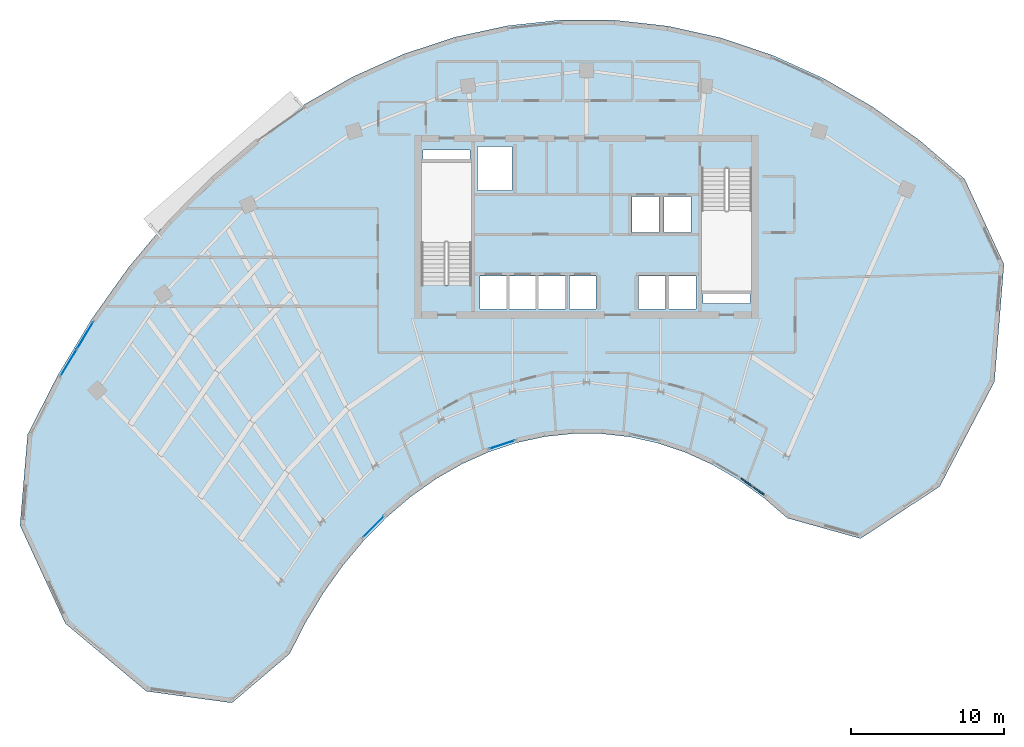
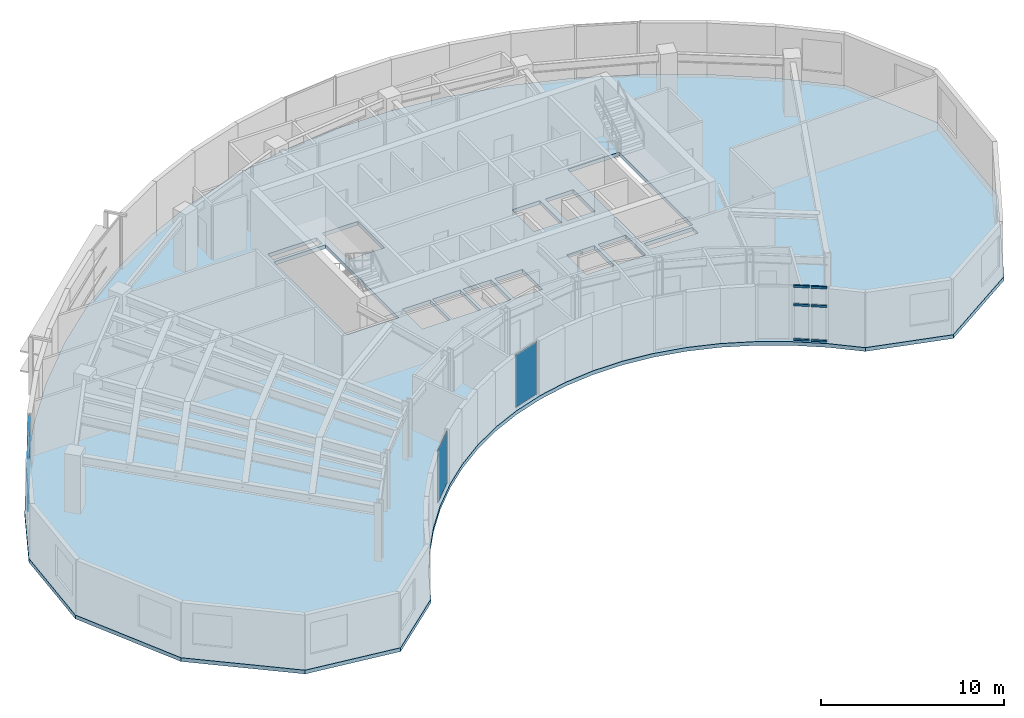
# One storey, part 5 of 12: 6 members, 6 plates, 1 slab, 4 elements without a shape of their own.
"""IFC4 building model written with IfcOpenShell, lengths in metres."""

from ifc_helpers import new_model, si_unit, direction, frame, origin, origin_2d, place, context, subcontext, project, spatial, polyline, rectangle, outline, extrude, source, transform, mapped, material, layer, layer_set, material_profile, profile_set, type_object, element, aggregate, save


model = new_model("IFC4")

# Units and contexts
model_context = context("Model", 3, precision=1e-05, world=origin(), true_north=direction((0.0, 1.0)))
body_context = subcontext(model_context, "Body", "Model", "MODEL_VIEW")
ifc_project = project(units=[si_unit("LENGTHUNIT", "METRE"), si_unit("AREAUNIT", "SQUARE_METRE"), si_unit("VOLUMEUNIT", "CUBIC_METRE"), si_unit("PLANEANGLEUNIT", "RADIAN"), si_unit("MASSUNIT", "GRAM", prefix="KILO")], contexts=[model_context])

# Site, building, storey
site_placement = place(None, origin())
site = spatial("IfcSite", under=ifc_project, at=site_placement, CompositionType="ELEMENT")
building_placement = place(site_placement, origin())
building = spatial("IfcBuilding", under=site, at=building_placement, Name="Breltana Convention Tower", CompositionType="ELEMENT")
storey_placement = place(building_placement, frame((0.0, 0.0, 239.10009765625)))
storey = spatial("IfcBuildingStorey", under=building, at=storey_placement, Name="L58", CompositionType="ELEMENT", Elevation=239.10009765625)

# Curtain wall, members
ifc_material_1 = material(Name="Aluminium Anodised Bronze Frame", Category="aluminium")
ifc_layer_1 = layer(ifc_material_1, 0.18994140625, Name="Aluminium Anodised Bronze Frame")
ifc_layer_set_1 = layer_set([ifc_layer_1], Name="Aluminium Anodised Bronze Frame")
curtain_wall_type_1 = type_object("IfcCurtainWallType", Name="CW-SYS-1", PredefinedType="NOTDEFINED", material=ifc_layer_set_1)
curtain_wall_1_placement = place(storey_placement, origin())
curtain_wall_1 = element("IfcCurtainWall", 1, at=curtain_wall_1_placement, inside=storey, type_object=curtain_wall_type_1, Name="L58 inner south-court glazing 1", PredefinedType="NOTDEFINED")
ifc_material_2 = material(Name="Aluminium Anodised Bronze", Category="aluminium")
ifc_material_profile = material_profile(ifc_material_2, rectangle(XDim=0.080078125, YDim=0.139892578125, at=origin_2d()), Name="CWT-80X140")
ifc_profile_set = profile_set([ifc_material_profile], Name="Aluminium Anodised Bronze")
member_type = type_object("IfcMemberType", Name="CWT-140", PredefinedType="USERDEFINED", material=ifc_profile_set)
shared_shape_1 = source(origin(), body_context, "Body", "SweptSolid", [
    extrude(rectangle(XDim=0.080078125, YDim=0.139892578125, at=origin_2d()), origin(), (0.0, 0.0, 1.0), 0.88720703125),
])
member_1_placement = place(storey_placement, frame((59.6103515625, 48.673583984375, 0.039794921875), z_axis=(-0.814198008079, 0.580587292007, 0.0), x_axis=(-0.580587292007, -0.814198008079, 0.0)))
member_1 = element("IfcMember", 2, at=member_1_placement, type_object=member_type, Name="CW-01 transom 1.1", ObjectType="TRANSOM", PredefinedType="USERDEFINED", context=body_context, shape_type="MappedRepresentation", body=[
    mapped(shared_shape_1, transform((0.0, 0.0, 0.0), scale=1.0)),
])
member_2_placement = place(storey_placement, frame((59.6103515625, 48.673583984375, 2.372314453125), z_axis=(-0.814198008079, 0.580587292007, 0.0), x_axis=(-0.580587292007, -0.814198008079, 0.0)))
member_2 = element("IfcMember", 3, at=member_2_placement, type_object=member_type, Name="CW-01 transom 1.2", ObjectType="TRANSOM", PredefinedType="USERDEFINED", context=body_context, shape_type="MappedRepresentation", body=[
    mapped(shared_shape_1, transform((0.0, 0.0, 0.0), scale=1.0)),
])
member_3_placement = place(storey_placement, frame((59.6103515625, 48.673583984375, 3.60986328125), z_axis=(-0.814198008079, 0.580587292007, 0.0), x_axis=(-0.580587292007, -0.814198008079, 0.0)))
member_3 = element("IfcMember", 4, at=member_3_placement, type_object=member_type, Name="CW-01 transom 1.3", ObjectType="TRANSOM", PredefinedType="USERDEFINED", context=body_context, shape_type="MappedRepresentation", body=[
    mapped(shared_shape_1, transform((0.0, 0.0, 0.0), scale=1.0)),
])
shared_shape_2 = source(origin(), body_context, "Body", "SweptSolid", [
    extrude(rectangle(XDim=0.080078125, YDim=0.139892578125, at=origin_2d()), origin(), (0.0, 0.0, 1.0), 0.887451171875),
])
member_4_placement = place(storey_placement, frame((58.82275390625, 49.235107421875, 0.039794921875), z_axis=(-0.814067936788, 0.58076965683, 0.0), x_axis=(-0.58076965683, -0.814067936788, 0.0)))
member_4 = element("IfcMember", 5, at=member_4_placement, type_object=member_type, Name="CW-01 transom 2.1", ObjectType="TRANSOM", PredefinedType="USERDEFINED", context=body_context, shape_type="MappedRepresentation", body=[
    mapped(shared_shape_2, transform((0.0, 0.0, 0.0), scale=1.0)),
])
member_5_placement = place(storey_placement, frame((58.82275390625, 49.235107421875, 2.372314453125), z_axis=(-0.814067936788, 0.58076965683, 0.0), x_axis=(-0.58076965683, -0.814067936788, 0.0)))
member_5 = element("IfcMember", 6, at=member_5_placement, type_object=member_type, Name="CW-01 transom 2.2", ObjectType="TRANSOM", PredefinedType="USERDEFINED", context=body_context, shape_type="MappedRepresentation", body=[
    mapped(shared_shape_2, transform((0.0, 0.0, 0.0), scale=1.0)),
])
member_6_placement = place(storey_placement, frame((58.82275390625, 49.235107421875, 3.60986328125), z_axis=(-0.814067936788, 0.58076965683, 0.0), x_axis=(-0.58076965683, -0.814067936788, 0.0)))
member_6 = element("IfcMember", 7, at=member_6_placement, type_object=member_type, Name="CW-01 transom 2.3", ObjectType="TRANSOM", PredefinedType="USERDEFINED", context=body_context, shape_type="MappedRepresentation", body=[
    mapped(shared_shape_2, transform((0.0, 0.0, 0.0), scale=1.0)),
])
aggregate(curtain_wall_1, [member_1, member_2, member_3, member_4, member_5, member_6])

# Slab
ifc_material_3 = material(Name="Concrete C40/50", Category="concrete")
ifc_layer_2 = layer(ifc_material_3, 0.25, Name="Concrete C40/50")
ifc_layer_set_2 = layer_set([ifc_layer_2], Name="Concrete C40/50")
slab_type = type_object("IfcSlabType", Name="SL-OFF-250", PredefinedType="FLOOR", material=ifc_layer_set_2)
slab_placement = place(storey_placement, frame((0.0, 0.0, -0.25)))
element("IfcSlab", 8, at=slab_placement, inside=storey, type_object=slab_type, Name="L58 Suspended Structural Floor Slab", PredefinedType="FLOOR", context=body_context, shape_type="SweptSolid", body=[
    extrude(outline(polyline([(72.72119140625, 69.309326171875), (69.777587890625, 71.839111328125), (66.690673828125, 74.040771484375), (63.480712890625, 75.89990234375), (60.1689453125, 77.404296875), (56.777099609375, 78.543701171875), (53.3271484375, 79.31103515625), (49.84228515625, 79.701171875), (46.345458984375, 79.71142578125), (42.859375, 79.341796875), (39.4072265625, 78.594482421875), (36.01171875, 77.474853515625), (32.69482421875, 75.989990234375), (29.47900390625, 74.149658203125), (26.385009765625, 71.966064453125), (23.43310546875, 69.453369140625), (20.64306640625, 66.62841796875), (18.033203125, 63.509765625), (15.62060546875, 60.11767578125), (13.4208984375, 56.474853515625), (11.44921875, 52.60498046875), (10.952392578125, 46.661865234375), (13.9169921875, 40.24951171875), (19.210693359375, 35.81689453125), (24.811279296875, 35.0576171875), (28.57958984375, 38.260986328125), (29.62744140625, 40.317138671875), (30.796142578125, 42.252685546875), (32.077880859375, 44.05517578125), (33.464599609375, 45.712158203125), (34.947021484375, 47.213134765625), (36.515380859375, 48.548095703125), (38.1591796875, 49.708251953125), (39.8681640625, 50.68603515625), (41.63037109375, 51.47509765625), (43.4345703125, 52.070068359375), (45.268798828125, 52.467041015625), (47.120849609375, 52.663330078125), (48.97900390625, 52.657958984375), (50.83056640625, 52.45068359375), (52.663330078125, 52.04296875), (54.465576171875, 51.4375), (56.225341796875, 50.63818359375), (57.930908203125, 49.650390625), (59.57080078125, 48.480712890625), (61.135009765625, 47.136474609375), (65.921142578125, 45.801025390625), (71.092041015625, 49.210205078125), (74.67236328125, 56.06201171875), (75.294677734375, 63.7392578125), (72.72119140625, 69.309326171875)]), holes=[polyline([(37.199951171875, 62.385009765625), (40.469970703125, 62.385009765625), (40.469970703125, 70.39990234375), (37.199951171875, 70.39990234375), (37.199951171875, 62.385009765625)]), polyline([(55.530029296875, 62.0), (58.800048828125, 62.0), (58.800048828125, 70.014892578125), (55.530029296875, 70.014892578125), (55.530029296875, 62.0)]), polyline([(41.0400390625, 60.800048828125), (42.800048828125, 60.800048828125), (42.800048828125, 62.97998046875), (41.0400390625, 62.97998046875), (41.0400390625, 60.800048828125)]), polyline([(42.93994140625, 60.800048828125), (44.699951171875, 60.800048828125), (44.699951171875, 62.97998046875), (42.93994140625, 62.97998046875), (42.93994140625, 60.800048828125)]), polyline([(44.8701171875, 60.800048828125), (46.6298828125, 60.800048828125), (46.6298828125, 62.97998046875), (44.8701171875, 62.97998046875), (44.8701171875, 60.800048828125)]), polyline([(46.8701171875, 60.800048828125), (48.6298828125, 60.800048828125), (48.6298828125, 62.97998046875), (46.8701171875, 62.97998046875), (46.8701171875, 60.800048828125)]), polyline([(51.39990234375, 60.800048828125), (53.159912109375, 60.800048828125), (53.159912109375, 62.97998046875), (51.39990234375, 62.97998046875), (51.39990234375, 60.800048828125)]), polyline([(53.39990234375, 60.800048828125), (55.159912109375, 60.800048828125), (55.159912109375, 62.97998046875), (53.39990234375, 62.97998046875), (53.39990234375, 60.800048828125)]), polyline([(50.969970703125, 65.800048828125), (52.72998046875, 65.800048828125), (52.72998046875, 68.179931640625), (50.969970703125, 68.179931640625), (50.969970703125, 65.800048828125)]), polyline([(53.070068359375, 65.800048828125), (54.830078125, 65.800048828125), (54.830078125, 68.179931640625), (53.070068359375, 68.179931640625), (53.070068359375, 65.800048828125)]), polyline([(40.8798828125, 68.550048828125), (43.1201171875, 68.550048828125), (43.1201171875, 71.449951171875), (40.8798828125, 71.449951171875), (40.8798828125, 68.550048828125)]), polyline([(37.300048828125, 70.60009765625), (40.3798828125, 70.60009765625), (40.3798828125, 71.219970703125), (37.300048828125, 71.219970703125), (37.300048828125, 70.60009765625)]), polyline([(55.6201171875, 61.179931640625), (58.699951171875, 61.179931640625), (58.699951171875, 61.800048828125), (55.6201171875, 61.800048828125), (55.6201171875, 61.179931640625)])]), origin(), (0.0, 0.0, 1.0), 0.25),
])

# Curtain wall, plates
ifc_layer_3 = layer(ifc_material_1, 0.219970703125, Name="Aluminium Anodised Bronze Frame")
ifc_layer_set_3 = layer_set([ifc_layer_3], Name="Aluminium Anodised Bronze Frame")
curtain_wall_type_2 = type_object("IfcCurtainWallType", Name="CW-SYS-4", PredefinedType="NOTDEFINED", material=ifc_layer_set_3)
curtain_wall_2_placement = place(storey_placement, origin())
curtain_wall_2 = element("IfcCurtainWall", 9, at=curtain_wall_2_placement, inside=storey, type_object=curtain_wall_type_2, Name="L58 outer double-skin inner glazing 1", PredefinedType="NOTDEFINED")
ifc_material_4 = material(Name="Glass Low-E Double Glazing", Category="glass")
ifc_layer_4 = layer(ifc_material_4, 0.028076171875, Name="Glass Low-E Double Glazing")
ifc_layer_set_4 = layer_set([ifc_layer_4], Name="Glass Low-E Double Glazing")
plate_type = type_object("IfcPlateType", Name="CWP-IGU-28", PredefinedType="CURTAIN_PANEL", material=ifc_layer_set_4)
shared_shape_3 = source(origin(), body_context, "Body", "SweptSolid", [
    extrude(rectangle(XDim=2.001220703125, YDim=0.028076171875, at=origin_2d()), origin(), (0.0, 0.0, 1.0), 2.267578125),
])
plate_1_placement = place(storey_placement, frame((14.136962890625, 57.312255859375, 0.06982421875), z_axis=(0.0, 0.0, 1.0), x_axis=(0.516875291963, 0.856060706117, 0.0)))
plate_1 = element("IfcPlate", 10, at=plate_1_placement, type_object=plate_type, Name="CW-04 panel 1.1", PredefinedType="CURTAIN_PANEL", context=body_context, shape_type="MappedRepresentation", body=[
    mapped(shared_shape_3, transform((0.0, 0.0, 0.0), scale=1.0)),
])
plate_2_placement = place(storey_placement, frame((15.212646484375, 59.093994140625, 0.06982421875), z_axis=(0.0, 0.0, 1.0), x_axis=(0.516875291963, 0.856060706117, 0.0)))
plate_2 = element("IfcPlate", 11, at=plate_2_placement, type_object=plate_type, Name="CW-04 panel 2.1", PredefinedType="CURTAIN_PANEL", context=body_context, shape_type="MappedRepresentation", body=[
    mapped(shared_shape_3, transform((0.0, 0.0, 0.0), scale=1.0)),
])
shared_shape_4 = source(origin(), body_context, "Body", "SweptSolid", [
    extrude(rectangle(XDim=2.001220703125, YDim=0.028076171875, at=origin_2d()), origin(), (0.0, 0.0, 1.0), 1.172607421875),
])
plate_3_placement = place(storey_placement, frame((14.136962890625, 57.312255859375, 2.4072265625), z_axis=(0.0, 0.0, 1.0), x_axis=(0.516875291963, 0.856060706117, 0.0)))
plate_3 = element("IfcPlate", 12, at=plate_3_placement, type_object=plate_type, Name="CW-04 panel 1.2", PredefinedType="CURTAIN_PANEL", context=body_context, shape_type="MappedRepresentation", body=[
    mapped(shared_shape_4, transform((0.0, 0.0, 0.0), scale=1.0)),
])
plate_4_placement = place(storey_placement, frame((15.212646484375, 59.093994140625, 2.4072265625), z_axis=(0.0, 0.0, 1.0), x_axis=(0.516875291963, 0.856060706117, 0.0)))
plate_4 = element("IfcPlate", 13, at=plate_4_placement, type_object=plate_type, Name="CW-04 panel 2.2", PredefinedType="CURTAIN_PANEL", context=body_context, shape_type="MappedRepresentation", body=[
    mapped(shared_shape_4, transform((0.0, 0.0, 0.0), scale=1.0)),
])
aggregate(curtain_wall_2, [plate_1, plate_3, plate_2, plate_4])

# Curtain wall, plate
curtain_wall_3_placement = place(storey_placement, origin())
curtain_wall_3 = element("IfcCurtainWall", 14, at=curtain_wall_3_placement, inside=storey, type_object=curtain_wall_type_1, Name="L58 inner south-court glazing 4", PredefinedType="NOTDEFINED")
shared_shape_5 = source(origin(), body_context, "Body", "SweptSolid", [
    extrude(rectangle(XDim=1.73974609375, YDim=0.028076171875, at=origin_2d()), origin(), (0.0, 0.0, 1.0), 3.489990234375),
])
plate_5_placement = place(storey_placement, frame((42.47607421875, 51.943359375, 0.080078125), z_axis=(0.0, 0.0, 1.0), x_axis=(-0.949689096646, -0.313194220432, 0.0)))
plate_5 = element("IfcPlate", 15, at=plate_5_placement, type_object=plate_type, Name="CW-01 panel 1.1", PredefinedType="CURTAIN_PANEL", context=body_context, shape_type="MappedRepresentation", body=[
    mapped(shared_shape_5, transform((0.0, 0.0, 0.0), scale=1.0)),
])
aggregate(curtain_wall_3, [plate_5])

curtain_wall_4_placement = place(storey_placement, origin())
curtain_wall_4 = element("IfcCurtainWall", 16, at=curtain_wall_4_placement, inside=storey, type_object=curtain_wall_type_1, Name="L58 inner south-court glazing 5", PredefinedType="NOTDEFINED")
shared_shape_6 = source(origin(), body_context, "Body", "SweptSolid", [
    extrude(rectangle(XDim=1.94970703125, YDim=0.028076171875, at=origin_2d()), origin(), (0.0, 0.0, 1.0), 3.489990234375),
])
plate_6_placement = place(storey_placement, frame((34.077880859375, 46.589111328125, 0.080078125), z_axis=(0.0, 0.0, 1.0), x_axis=(-0.702684669513, -0.711501409156, 0.0)))
plate_6 = element("IfcPlate", 17, at=plate_6_placement, type_object=plate_type, Name="CW-01 panel 1.1", PredefinedType="CURTAIN_PANEL", context=body_context, shape_type="MappedRepresentation", body=[
    mapped(shared_shape_6, transform((0.0, 0.0, 0.0), scale=1.0)),
])
aggregate(curtain_wall_4, [plate_6])

save(model, "model.ifc")
